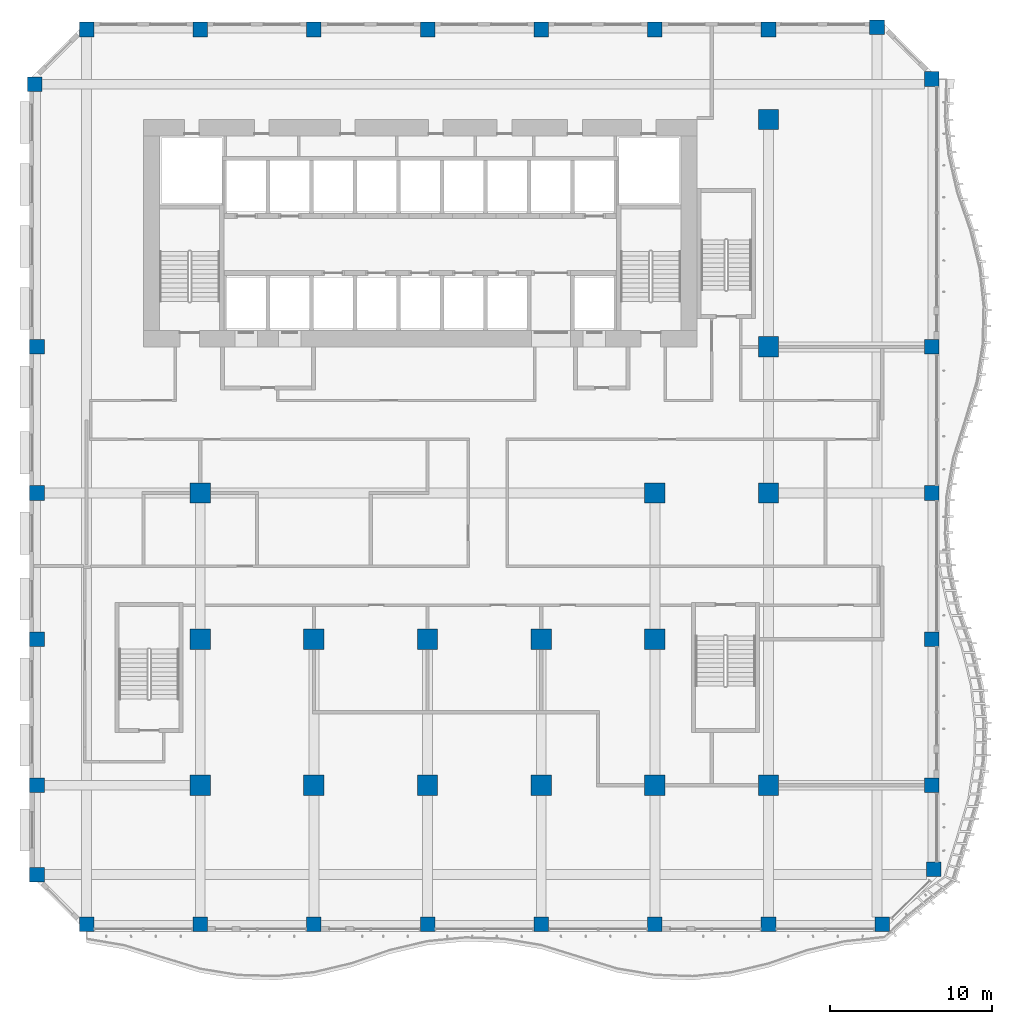
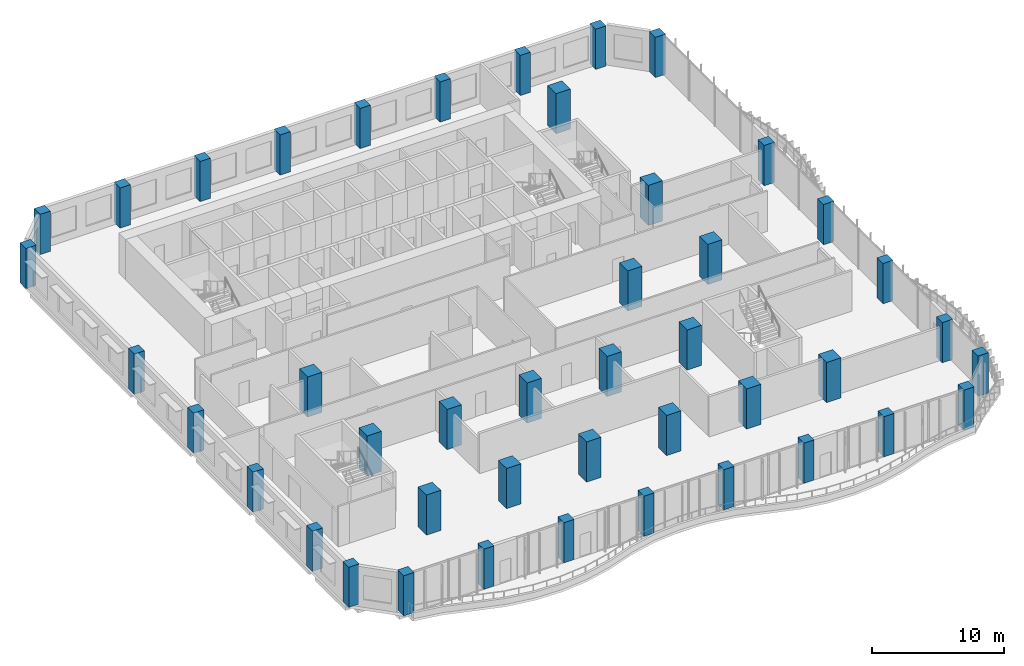
# One storey, part 1 of 27: 44 columns.
"""IFC4 building model written with IfcOpenShell, lengths in metres."""

from ifc_helpers import new_model, si_unit, direction, frame, origin, origin_2d, place, context, subcontext, project, spatial, rectangle, extrude, source, transform, mapped, material, material_profile, profile_set, type_object, element, save


model = new_model("IFC4")

# Units and contexts
model_context = context("Model", 3, precision=1e-05, world=origin(), true_north=direction((0.0, 1.0)))
body_context = subcontext(model_context, "Body", "Model", "MODEL_VIEW")
ifc_project = project(units=[si_unit("LENGTHUNIT", "METRE"), si_unit("AREAUNIT", "SQUARE_METRE"), si_unit("VOLUMEUNIT", "CUBIC_METRE"), si_unit("PLANEANGLEUNIT", "RADIAN"), si_unit("MASSUNIT", "GRAM", prefix="KILO")], contexts=[model_context])

# Site, building, storey
site_placement = place(None, origin())
site = spatial("IfcSite", under=ifc_project, at=site_placement, CompositionType="ELEMENT")
building_placement = place(site_placement, origin())
building = spatial("IfcBuilding", under=site, at=building_placement, Name="Kilnfold Tower and Market Hall", CompositionType="ELEMENT")
storey_placement = place(building_placement, frame((0.0, 0.0, 71.199951171875)))
storey = spatial("IfcBuildingStorey", under=building, at=storey_placement, Name="L16", CompositionType="ELEMENT", Elevation=71.199951171875)

# Columns
ifc_material_1 = material(Name="Concrete C80", Category="concrete")
ifc_material_profile_1 = material_profile(ifc_material_1, rectangle(XDim=0.89990234375, YDim=0.89990234375, at=origin_2d()), Name="RC 900x900")
ifc_profile_set_1 = profile_set([ifc_material_profile_1], Name="Concrete C80")
column_type_1 = type_object("IfcColumnType", Name="COLUMN 900X900 C80", PredefinedType="COLUMN", material=ifc_profile_set_1)
shared_shape_1 = source(origin(), body_context, "Body", "SweptSolid", [
    extrude(rectangle(XDim=0.89990234375, YDim=0.89990234375, at=origin_2d()), origin(), (0.0, 0.0, 1.0), 3.719970703125),
])
for number, where, z_axis, x_axis, name in (
    (1, (-22.681884765625, 24.181884765625, 0.0), (0.0, 0.0, 1.0), (1.0, 0.0, 0.0), "Column C-B2-1H"),
    (2, (-22.550048828125, -24.5, 0.0), (0.0, 0.0, 1.0), (1.0, 0.0, 0.0), "Column C-B2-1B"),
    (3, (-22.550048828125, -19.0, 0.0), (0.0, 0.0, 1.0), (1.0, 0.0, 0.0), "Column C-B2-1C"),
    (4, (-22.550048828125, -10.0, 0.0), (0.0, 0.0, 1.0), (1.0, 0.0, 0.0), "Column C-B2-1D"),
    (5, (-22.550048828125, -1.0, 0.0), (0.0, 0.0, 1.0), (1.0, 0.0, 0.0), "Column C-B2-1E"),
    (6, (-22.550048828125, 8.0, 0.0), (0.0, 0.0, 1.0), (1.0, 0.0, 0.0), "Column C-B2-1F"),
    (7, (-19.5, -27.550048828125, 0.0), (0.0, 0.0, 1.0), (1.0, 0.0, 0.0), "Column C-B2-2A"),
    (8, (-19.5, 27.550048828125, 0.0), (0.0, 0.0, 1.0), (1.0, 0.0, 0.0), "Column C-B2-2I"),
    (9, (-12.5, -27.550048828125, 0.0), (0.0, 0.0, 1.0), (1.0, 0.0, 0.0), "Column C-B2-3A"),
    (10, (-12.5, 27.550048828125, 0.0), (0.0, 0.0, 1.0), (1.0, 0.0, 0.0), "Column C-B2-3I"),
    (11, (-5.5, -27.550048828125, 0.0), (0.0, 0.0, 1.0), (1.0, 0.0, 0.0), "Column C-B2-4A"),
    (12, (-5.5, 27.550048828125, 0.0), (0.0, 0.0, 1.0), (1.0, 0.0, 0.0), "Column C-B2-4I"),
    (13, (1.5, -27.550048828125, 0.0), (0.0, 0.0, 1.0), (1.0, 0.0, 0.0), "Column C-B2-5A"),
    (14, (1.5, 27.550048828125, 0.0), (0.0, 0.0, 1.0), (1.0, 0.0, 0.0), "Column C-B2-5I"),
    (15, (8.5, -27.550048828125, 0.0), (0.0, 0.0, 1.0), (1.0, 0.0, 0.0), "Column C-B2-6A"),
    (16, (8.5, 27.550048828125, 0.0), (0.0, 0.0, 1.0), (1.0, 0.0, 0.0), "Column C-B2-6I"),
    (17, (15.5, -27.550048828125, 0.0), (0.0, 0.0, 1.0), (1.0, 0.0, 0.0), "Column C-B2-7A"),
    (18, (15.5, 27.550048828125, 0.0), (0.0, 0.0, 1.0), (1.0, 0.0, 0.0), "Column C-B2-7I"),
    (19, (22.5, -27.550048828125, 0.0), (0.0, 0.0, 1.0), (1.0, 0.0, 0.0), "Column C-B2-8A"),
    (20, (22.5, 27.550048828125, 0.0), (0.0, 0.0, 1.0), (1.0, 0.0, 0.0), "Column C-B2-8I"),
    (21, (29.181884765625, 27.681884765625, 0.0), (0.0, 0.0, 1.0), (1.0, 0.0, 0.0), "Column C-B2-9I"),
    (22, (29.5, -27.550048828125, 0.0), (0.0, 0.0, 1.0), (1.0, 0.0, 0.0), "Column C-B2-9A"),
    (23, (32.550048828125, -19.0, 0.0), (0.0, 0.0, 1.0), (1.0, 0.0, 0.0), "Column C-B2-10C"),
    (24, (32.550048828125, -10.0, 0.0), (0.0, 0.0, 1.0), (1.0, 0.0, 0.0), "Column C-B2-10D"),
    (25, (32.550048828125, -1.0, 0.0), (0.0, 0.0, 1.0), (1.0, 0.0, 0.0), "Column C-B2-10E"),
    (26, (32.550048828125, 8.0, 0.0), (0.0, 0.0, 1.0), (1.0, 0.0, 0.0), "Column C-B2-10F"),
    (27, (32.550048828125, 24.5, 0.0), (0.0, 0.0, 1.0), (1.0, 0.0, 0.0), "Column C-B2-10H"),
    (28, (32.681884765625, -24.181884765625, 0.0), (0.0, 0.0, 1.0), (1.0, 0.0, 0.0), "Column C-B2-10B"),
):
    element("IfcColumn", number, at=place(storey_placement, frame(where, z_axis=z_axis, x_axis=x_axis)), inside=storey, type_object=column_type_1, Name=name, PredefinedType="COLUMN", context=body_context, shape_type="MappedRepresentation", body=[
        mapped(shared_shape_1, transform((0.0, 0.0, 0.0))),
    ])
ifc_material_2 = material(Name="Concrete C80", Category="concrete")
ifc_material_profile_2 = material_profile(ifc_material_2, rectangle(XDim=1.25, YDim=1.25, at=origin_2d()), Name="RC 1250x1250")
ifc_profile_set_2 = profile_set([ifc_material_profile_2], Name="Concrete C80")
column_type_2 = type_object("IfcColumnType", Name="COLUMN 1250X1250 C80", PredefinedType="COLUMN", material=ifc_profile_set_2)
shared_shape_2 = source(origin(), body_context, "Body", "SweptSolid", [
    extrude(rectangle(XDim=1.25, YDim=1.25, at=origin_2d()), origin(), (0.0, 0.0, 1.0), 3.719970703125),
])
for number, where, z_axis, x_axis, name in (
    (29, (-12.5, -19.0, 0.0), (0.0, 0.0, 1.0), (1.0, 0.0, 0.0), "Column C-B2-3C"),
    (30, (-12.5, -10.0, 0.0), (0.0, 0.0, 1.0), (1.0, 0.0, 0.0), "Column C-B2-3D"),
    (31, (-12.5, -1.0, 0.0), (0.0, 0.0, 1.0), (1.0, 0.0, 0.0), "Column C-B2-3E"),
    (32, (-5.5, -19.0, 0.0), (0.0, 0.0, 1.0), (1.0, 0.0, 0.0), "Column C-B2-4C"),
    (33, (-5.5, -10.0, 0.0), (0.0, 0.0, 1.0), (1.0, 0.0, 0.0), "Column C-B2-4D"),
    (34, (1.5, -19.0, 0.0), (0.0, 0.0, 1.0), (1.0, 0.0, 0.0), "Column C-B2-5C"),
    (35, (1.5, -10.0, 0.0), (0.0, 0.0, 1.0), (1.0, 0.0, 0.0), "Column C-B2-5D"),
    (36, (8.5, -19.0, 0.0), (0.0, 0.0, 1.0), (1.0, 0.0, 0.0), "Column C-B2-6C"),
    (37, (8.5, -10.0, 0.0), (0.0, 0.0, 1.0), (1.0, 0.0, 0.0), "Column C-B2-6D"),
    (38, (15.5, -19.0, 0.0), (0.0, 0.0, 1.0), (1.0, 0.0, 0.0), "Column C-B2-7C"),
    (39, (15.5, -10.0, 0.0), (0.0, 0.0, 1.0), (1.0, 0.0, 0.0), "Column C-B2-7D"),
    (40, (15.5, -1.0, 0.0), (0.0, 0.0, 1.0), (1.0, 0.0, 0.0), "Column C-B2-7E"),
    (41, (22.5, -19.0, 0.0), (0.0, 0.0, 1.0), (1.0, 0.0, 0.0), "Column C-B2-8C"),
    (42, (22.5, -1.0, 0.0), (0.0, 0.0, 1.0), (1.0, 0.0, 0.0), "Column C-B2-8E"),
    (43, (22.5, 8.0, 0.0), (0.0, 0.0, 1.0), (1.0, 0.0, 0.0), "Column C-B2-8F"),
    (44, (22.5, 22.0, 0.0), (0.0, 0.0, 1.0), (1.0, 0.0, 0.0), "Column C-B2-8G"),
):
    element("IfcColumn", number, at=place(storey_placement, frame(where, z_axis=z_axis, x_axis=x_axis)), inside=storey, type_object=column_type_2, Name=name, PredefinedType="COLUMN", context=body_context, shape_type="MappedRepresentation", body=[
        mapped(shared_shape_2, transform((0.0, 0.0, 0.0))),
    ])

save(model, "model.ifc")
